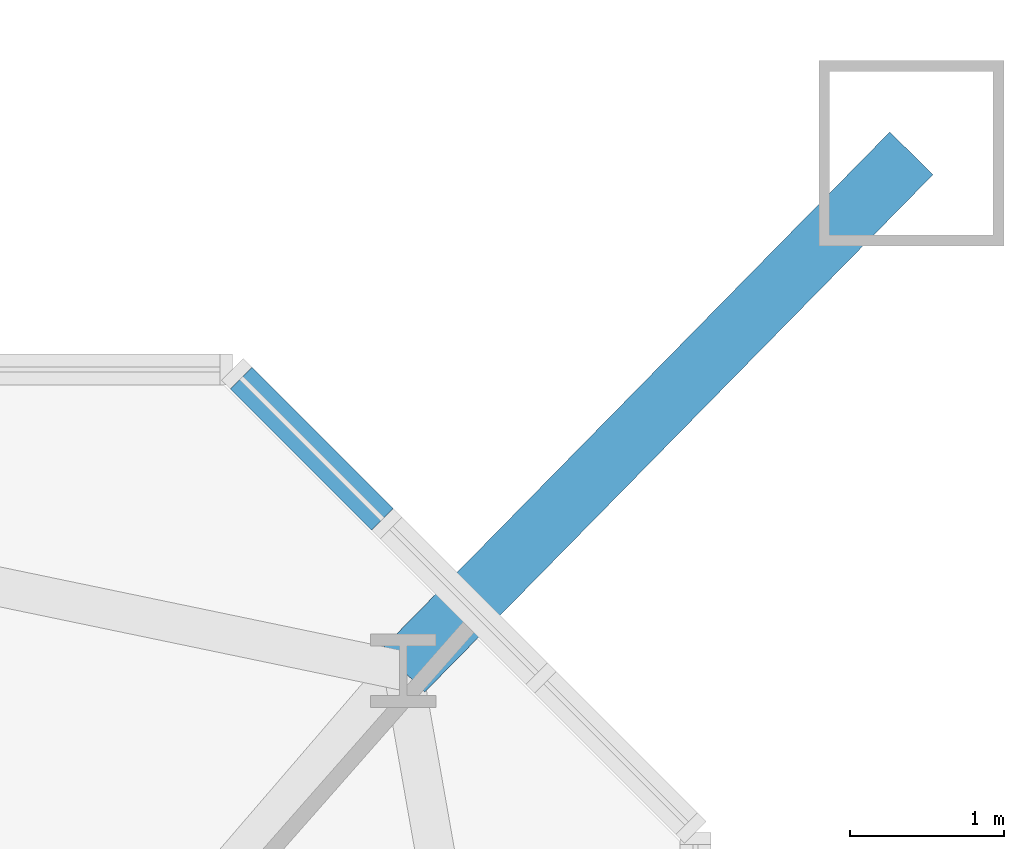
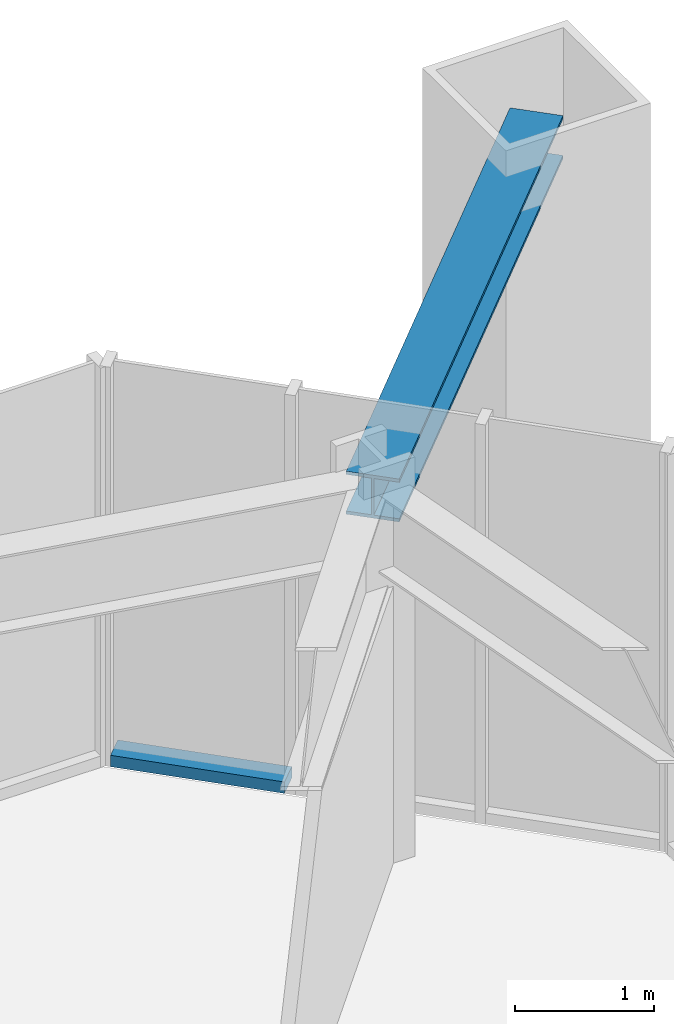
# One storey, part 11 of 26: 2 members, 1 element without a shape of its own.
"""IFC4 building model written with IfcOpenShell, lengths in metres."""

from ifc_helpers import new_model, si_unit, direction, frame, origin, origin_2d, place, context, subcontext, project, spatial, rectangle, i_section, extrude, material, material_profile, profile_set, type_object, element, aggregate, save


model = new_model("IFC4")

# Units and contexts
model_context = context("Model", 3, precision=1e-05, world=origin(), true_north=direction((0.0, 1.0)))
body_context = subcontext(model_context, "Body", "Model", "MODEL_VIEW")
ifc_project = project(units=[si_unit("LENGTHUNIT", "METRE"), si_unit("AREAUNIT", "SQUARE_METRE"), si_unit("VOLUMEUNIT", "CUBIC_METRE"), si_unit("PLANEANGLEUNIT", "RADIAN"), si_unit("MASSUNIT", "GRAM", prefix="KILO")], contexts=[model_context])

# Site, building, storey
site_placement = place(None, origin())
site = spatial("IfcSite", under=ifc_project, at=site_placement, CompositionType="ELEMENT")
building_placement = place(site_placement, origin())
building = spatial("IfcBuilding", under=site, at=building_placement, Name="Iwan Alto Co-Living Towers", CompositionType="ELEMENT")
storey_placement = place(building_placement, frame((0.0, 0.0, 29.0)))
storey = spatial("IfcBuildingStorey", under=building, at=storey_placement, Name="L07", CompositionType="ELEMENT", Elevation=29.0)

# Curtain wall, member
ifc_material_1 = material(Name="Bronze aluminium unitised frame", Category="aluminium")
curtain_wall_type = type_object("IfcCurtainWallType", Name="CURTAIN WALL CW-D", PredefinedType="NOTDEFINED", material=ifc_material_1)
curtain_wall_placement = place(storey_placement, origin())
curtain_wall = element("IfcCurtainWall", 1, at=curtain_wall_placement, inside=storey, type_object=curtain_wall_type, Name="T2 chamfer curtain wall NE L07", PredefinedType="NOTDEFINED")
ifc_material_2 = material(Name="Aluminium 6063-T6 bronze anodised", Category="aluminium")
ifc_material_profile_1 = material_profile(ifc_material_2, rectangle(XDim=0.199951171875, YDim=0.10009765625, at=origin_2d()), Name="AL 200X100")
ifc_profile_set_1 = profile_set([ifc_material_profile_1], Name="Aluminium 6063-T6 bronze anodised")
member_type_1 = type_object("IfcMemberType", Name="CW-D TRANSOM 200X100", PredefinedType="USERDEFINED", material=ifc_profile_set_1)
member_1_placement = place(storey_placement, frame((77.4716796875, 17.7783203125, 0.050048828125), z_axis=(-0.707106781187, 0.707106781187, 0.0), x_axis=(-0.707106781187, -0.707106781187, 0.0)))
member_1 = element("IfcMember", 2, at=member_1_placement, type_object=member_type_1, Name="CW-D transom 3.1", ObjectType="TRANSOM", PredefinedType="USERDEFINED", context=body_context, shape_type="SweptSolid", body=[
    extrude(rectangle(XDim=0.199951171875, YDim=0.10009765625, at=origin_2d()), origin(), (0.0, 0.0, 1.0), 1.2939453125),
])
aggregate(curtain_wall, [member_1])

# Member
ifc_material_3 = material(Name="Steel ASTM A992 Gr 50", Category="steel")
ifc_material_profile_2 = material_profile(ifc_material_3, i_section(OverallWidth=0.393798828125, OverallDepth=0.3759765625, WebThickness=0.017333984375, FlangeThickness=0.027587890625, at=origin_2d()), Name="W14X145")
ifc_profile_set_2 = profile_set([ifc_material_profile_2], Name="Steel ASTM A992 Gr 50")
member_type_2 = type_object("IfcMemberType", Name="T2 MEGA COLUMN FLOOR TIE W14X145", PredefinedType="STRUT", material=ifc_profile_set_2)
member_2_placement = place(storey_placement, frame((80.89990234375, 20.14990234375, 3.08203125), z_axis=(-0.700793469544, -0.71336422187, 0.0), x_axis=(0.71336422187, -0.700793469544, 0.0)))
element("IfcMember", 3, at=member_2_placement, inside=storey, type_object=member_type_2, Name="T2 mega column floor tie NE L08", PredefinedType="STRUT", context=body_context, shape_type="SweptSolid", body=[
    extrude(i_section(OverallWidth=0.393798828125, OverallDepth=0.3759765625, WebThickness=0.017333984375, FlangeThickness=0.027587890625, at=origin_2d()), origin(), (0.0, 0.0, 1.0), 4.699951171875),
])

save(model, "model.ifc")
